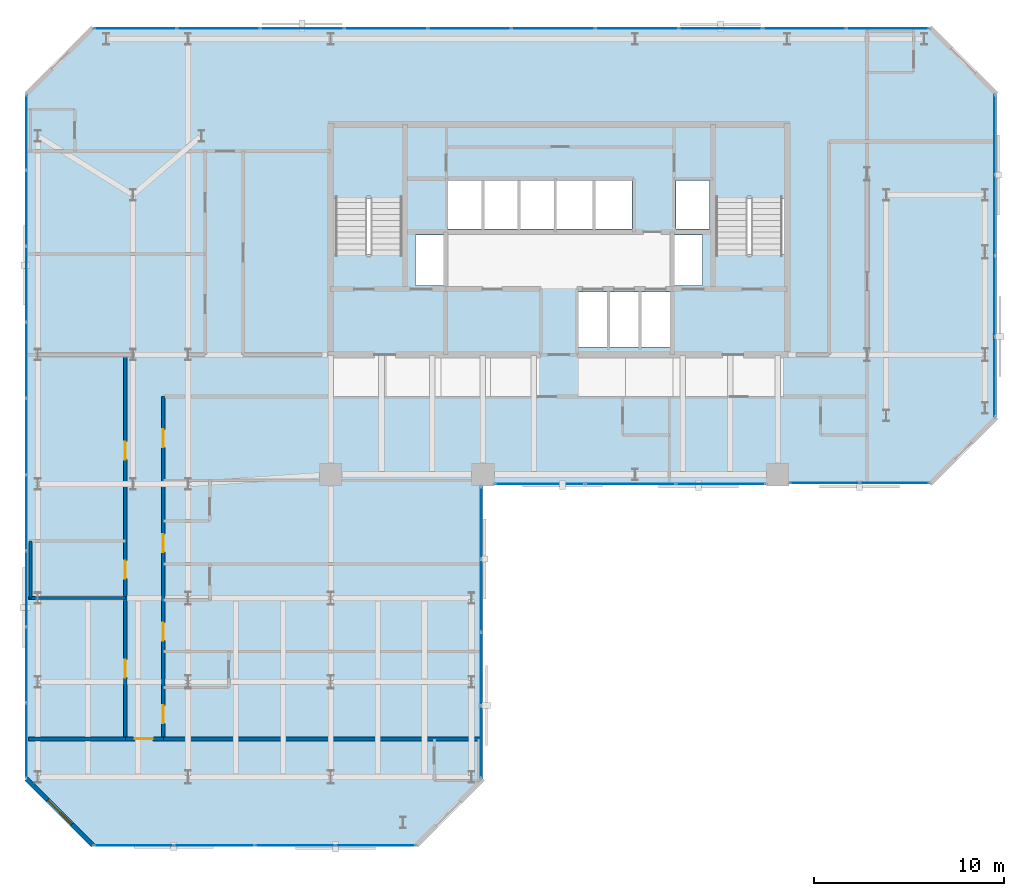
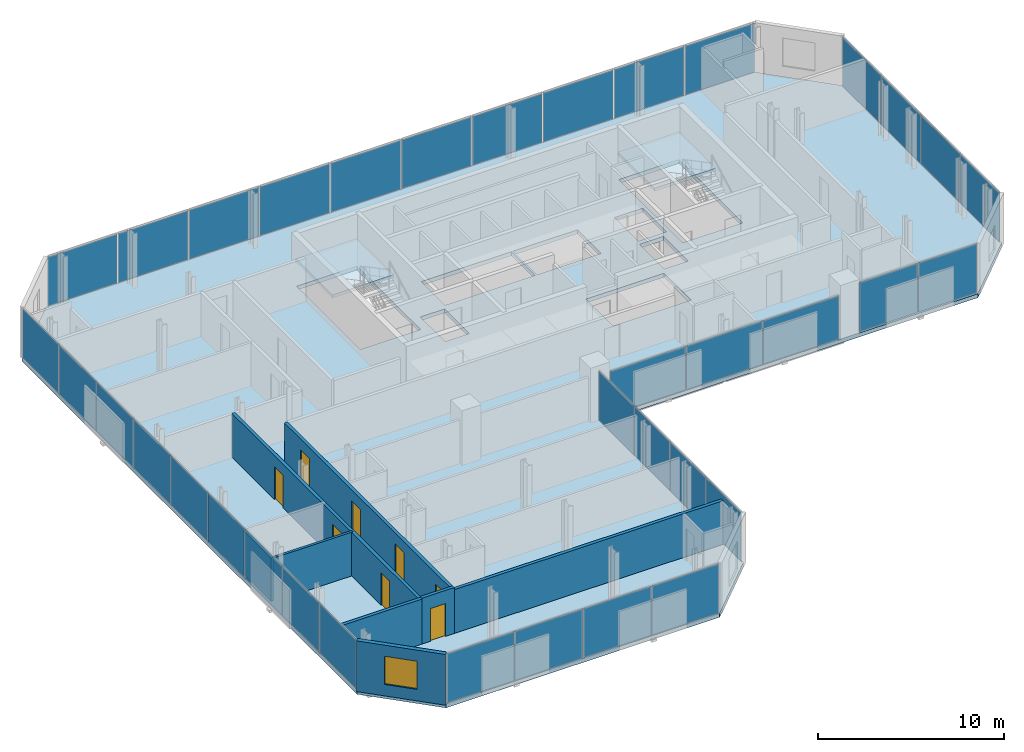
# One storey, part 27 of 32: 36 plates, 8 doors, 8 walls, 3 slabs, 1 window, 9 openings, 9 elements without a shape of their own.
"""IFC4 building model written with IfcOpenShell, lengths in metres."""

from ifc_helpers import new_model, si_unit, direction, frame, frame_2d, origin, origin_2d, place, context, subcontext, project, spatial, polyline, rectangle, outline, extrude, material, layer, layer_set, type_object, element, fill, aggregate, save


model = new_model("IFC4")

# Units and contexts
model_context = context("Model", 3, precision=1e-05, world=origin(), true_north=direction((0.0, 1.0)))
body_context = subcontext(model_context, "Body", "Model", "MODEL_VIEW")
ifc_project = project(units=[si_unit("LENGTHUNIT", "METRE"), si_unit("AREAUNIT", "SQUARE_METRE"), si_unit("VOLUMEUNIT", "CUBIC_METRE"), si_unit("PLANEANGLEUNIT", "RADIAN"), si_unit("MASSUNIT", "GRAM", prefix="KILO")], contexts=[model_context])

# Site, building, storey
site_placement = place(None, origin())
site = spatial("IfcSite", under=ifc_project, at=site_placement, CompositionType="ELEMENT")
building_placement = place(site_placement, origin())
building = spatial("IfcBuilding", under=site, at=building_placement, Name="Catumbela Crestline Tower", CompositionType="ELEMENT")
storey_placement = place(building_placement, frame((0.0, 0.0, 122.4)))
storey = spatial("IfcBuildingStorey", under=building, at=storey_placement, Name="L31", CompositionType="ELEMENT", Elevation=122.4)

# Curtain wall, plates
ifc_material_1 = material(Name="Aluminium alloy AW-6060-T66", Category="aluminium")
ifc_layer_1 = layer(ifc_material_1, 0.18, Name="Aluminium alloy AW-6060-T66")
ifc_layer_set_1 = layer_set([ifc_layer_1], Name="Aluminium alloy AW-6060-T66")
curtain_wall_type = type_object("IfcCurtainWallType", Name="CWU-Z2", PredefinedType="USERDEFINED", material=ifc_layer_set_1)
curtain_wall_1_placement = place(storey_placement, origin())
curtain_wall_1 = element("IfcCurtainWall", 1, at=curtain_wall_1_placement, inside=storey, type_object=curtain_wall_type, Name="L31 Unitised Curtain Wall CW-L31-E0S1", ObjectType="UNITISED", PredefinedType="USERDEFINED")
ifc_material_2 = material(Name="Low-E laminated solar-control double glazing", Category="glass")
ifc_layer_2 = layer(ifc_material_2, 0.036, Name="Low-E laminated solar-control double glazing")
ifc_layer_set_2 = layer_set([ifc_layer_2], Name="Low-E laminated solar-control double glazing")
plate_type = type_object("IfcPlateType", Name="PNL-GLZ-Z2", PredefinedType="CURTAIN_PANEL", material=ifc_layer_set_2)
plate_1_placement = place(storey_placement, frame((5.6412, 5.0, 0.06), z_axis=(0.0, 0.0, 1.0), x_axis=(1.0, 0.0, 0.0)))
plate_1 = element("IfcPlate", 2, at=plate_1_placement, type_object=plate_type, Name="CWU-Z2 panel 1.1", PredefinedType="CURTAIN_PANEL", context=body_context, shape_type="SweptSolid", body=[
    extrude(rectangle(XDim=4.1525, YDim=0.034, at=origin_2d()), origin(), (0.0, 0.0, 1.0), 3.21),
])
plate_2_placement = place(storey_placement, frame((9.875, 5.0, 0.06), z_axis=(0.0, 0.0, 1.0), x_axis=(1.0, 0.0, 0.0)))
plate_2 = element("IfcPlate", 3, at=plate_2_placement, type_object=plate_type, Name="CWU-Z2 panel 2.1", PredefinedType="CURTAIN_PANEL", context=body_context, shape_type="SweptSolid", body=[
    extrude(rectangle(XDim=4.185, YDim=0.034, at=origin_2d()), origin(), (0.0, 0.0, 1.0), 3.21),
])
plate_3_placement = place(storey_placement, frame((14.125, 5.0, 0.06), z_axis=(0.0, 0.0, 1.0), x_axis=(1.0, 0.0, 0.0)))
plate_3 = element("IfcPlate", 4, at=plate_3_placement, type_object=plate_type, Name="CWU-Z2 panel 3.1", PredefinedType="CURTAIN_PANEL", context=body_context, shape_type="SweptSolid", body=[
    extrude(rectangle(XDim=4.185, YDim=0.034, at=origin_2d()), origin(), (0.0, 0.0, 1.0), 3.21),
])
plate_4_placement = place(storey_placement, frame((18.3588, 5.0, 0.06), z_axis=(0.0, 0.0, 1.0), x_axis=(1.0, 0.0, 0.0)))
plate_4 = element("IfcPlate", 5, at=plate_4_placement, type_object=plate_type, Name="CWU-Z2 panel 4.1", PredefinedType="CURTAIN_PANEL", context=body_context, shape_type="SweptSolid", body=[
    extrude(rectangle(XDim=4.1525, YDim=0.034, at=origin_2d()), origin(), (0.0, 0.0, 1.0), 3.21),
])
aggregate(curtain_wall_1, [plate_1, plate_2, plate_3, plate_4])

curtain_wall_2_placement = place(storey_placement, origin())
curtain_wall_2 = element("IfcCurtainWall", 6, at=curtain_wall_2_placement, inside=storey, type_object=curtain_wall_type, Name="L31 Unitised Curtain Wall CW-L31-E2S1", ObjectType="UNITISED", PredefinedType="USERDEFINED")
plate_5_placement = place(storey_placement, frame((23.9, 10.4412, 0.06), z_axis=(0.0, 0.0, 1.0), x_axis=(0.0, 1.0, 0.0)))
plate_5 = element("IfcPlate", 7, at=plate_5_placement, type_object=plate_type, Name="CWU-Z2 panel 1.1", PredefinedType="CURTAIN_PANEL", context=body_context, shape_type="SweptSolid", body=[
    extrude(rectangle(XDim=3.7525, YDim=0.034, at=origin_2d()), origin(), (0.0, 0.0, 1.0), 3.21),
])
plate_6_placement = place(storey_placement, frame((23.9, 14.275, 0.06), z_axis=(0.0, 0.0, 1.0), x_axis=(0.0, 1.0, 0.0)))
plate_6 = element("IfcPlate", 8, at=plate_6_placement, type_object=plate_type, Name="CWU-Z2 panel 2.1", PredefinedType="CURTAIN_PANEL", context=body_context, shape_type="SweptSolid", body=[
    extrude(rectangle(XDim=3.785, YDim=0.034, at=origin_2d()), origin(), (0.0, 0.0, 1.0), 3.21),
])
plate_7_placement = place(storey_placement, frame((23.9, 18.125, 0.06), z_axis=(0.0, 0.0, 1.0), x_axis=(0.0, 1.0, 0.0)))
plate_7 = element("IfcPlate", 9, at=plate_7_placement, type_object=plate_type, Name="CWU-Z2 panel 3.1", PredefinedType="CURTAIN_PANEL", context=body_context, shape_type="SweptSolid", body=[
    extrude(rectangle(XDim=3.785, YDim=0.034, at=origin_2d()), origin(), (0.0, 0.0, 1.0), 3.21),
])
plate_8_placement = place(storey_placement, frame((23.9, 21.9587, 0.06), z_axis=(0.0, 0.0, 1.0), x_axis=(0.0, 1.0, 0.0)))
plate_8 = element("IfcPlate", 10, at=plate_8_placement, type_object=plate_type, Name="CWU-Z2 panel 4.1", PredefinedType="CURTAIN_PANEL", context=body_context, shape_type="SweptSolid", body=[
    extrude(rectangle(XDim=3.7525, YDim=0.034, at=origin_2d()), origin(), (0.0, 0.0, 1.0), 3.21),
])
aggregate(curtain_wall_2, [plate_5, plate_6, plate_7, plate_8])

curtain_wall_3_placement = place(storey_placement, origin())
curtain_wall_3 = element("IfcCurtainWall", 11, at=curtain_wall_3_placement, inside=storey, type_object=curtain_wall_type, Name="L31 Unitised Curtain Wall CW-L31-E3S1", ObjectType="UNITISED", PredefinedType="USERDEFINED")
plate_9_placement = place(storey_placement, frame((26.9996, 24.0, 0.06), z_axis=(0.0, 0.0, 1.0), x_axis=(1.0, 0.0, 0.0)))
plate_9 = element("IfcPlate", 12, at=plate_9_placement, type_object=plate_type, Name="CWU-Z2 panel 1.1", PredefinedType="CURTAIN_PANEL", context=body_context, shape_type="SweptSolid", body=[
    extrude(rectangle(XDim=4.6692, YDim=0.034, at=origin_2d()), origin(), (0.0, 0.0, 1.0), 2.84),
])
plate_10_placement = place(storey_placement, frame((31.75, 24.0, 0.06), z_axis=(0.0, 0.0, 1.0), x_axis=(1.0, 0.0, 0.0)))
plate_10 = element("IfcPlate", 13, at=plate_10_placement, type_object=plate_type, Name="CWU-Z2 panel 2.1", PredefinedType="CURTAIN_PANEL", context=body_context, shape_type="SweptSolid", body=[
    extrude(rectangle(XDim=4.7017, YDim=0.034, at=origin_2d()), origin(), (0.0, 0.0, 1.0), 2.84),
])
plate_11_placement = place(storey_placement, frame((36.5004, 24.0, 0.06), z_axis=(0.0, 0.0, 1.0), x_axis=(1.0, 0.0, 0.0)))
plate_11 = element("IfcPlate", 14, at=plate_11_placement, type_object=plate_type, Name="CWU-Z2 panel 3.1", PredefinedType="CURTAIN_PANEL", context=body_context, shape_type="SweptSolid", body=[
    extrude(rectangle(XDim=4.6692, YDim=0.034, at=origin_2d()), origin(), (0.0, 0.0, 1.0), 2.84),
])
aggregate(curtain_wall_3, [plate_9, plate_10, plate_11])

curtain_wall_4_placement = place(storey_placement, origin())
curtain_wall_4 = element("IfcCurtainWall", 15, at=curtain_wall_4_placement, inside=storey, type_object=curtain_wall_type, Name="L31 Unitised Curtain Wall CW-L31-E3S2", ObjectType="UNITISED", PredefinedType="USERDEFINED")
plate_12_placement = place(storey_placement, frame((41.9662, 24.05, 0.06), z_axis=(0.0, 0.0, 1.0), x_axis=(1.0, 0.0, 0.0)))
plate_12 = element("IfcPlate", 16, at=plate_12_placement, type_object=plate_type, Name="CWU-Z2 panel 1.1", PredefinedType="CURTAIN_PANEL", context=body_context, shape_type="SweptSolid", body=[
    extrude(rectangle(XDim=3.6025, YDim=0.034, at=origin_2d()), origin(), (0.0, 0.0, 1.0), 3.21),
])
plate_13_placement = place(storey_placement, frame((45.6338, 24.05, 0.06), z_axis=(0.0, 0.0, 1.0), x_axis=(1.0, 0.0, 0.0)))
plate_13 = element("IfcPlate", 17, at=plate_13_placement, type_object=plate_type, Name="CWU-Z2 panel 2.1", PredefinedType="CURTAIN_PANEL", context=body_context, shape_type="SweptSolid", body=[
    extrude(rectangle(XDim=3.6025, YDim=0.034, at=origin_2d()), origin(), (0.0, 0.0, 1.0), 3.21),
])
aggregate(curtain_wall_4, [plate_12, plate_13])

curtain_wall_5_placement = place(storey_placement, origin())
curtain_wall_5 = element("IfcCurtainWall", 18, at=curtain_wall_5_placement, inside=storey, type_object=curtain_wall_type, Name="L31 Unitised Curtain Wall CW-L31-E5S1", ObjectType="UNITISED", PredefinedType="USERDEFINED")
plate_14_placement = place(storey_placement, frame((50.9, 29.6412, 0.06), z_axis=(0.0, 0.0, 1.0), x_axis=(0.0, 1.0, 0.0)))
plate_14 = element("IfcPlate", 19, at=plate_14_placement, type_object=plate_type, Name="CWU-Z2 panel 1.1", PredefinedType="CURTAIN_PANEL", context=body_context, shape_type="SweptSolid", body=[
    extrude(rectangle(XDim=4.1525, YDim=0.034, at=origin_2d()), origin(), (0.0, 0.0, 1.0), 3.21),
])
plate_15_placement = place(storey_placement, frame((50.9, 33.875, 0.06), z_axis=(0.0, 0.0, 1.0), x_axis=(0.0, 1.0, 0.0)))
plate_15 = element("IfcPlate", 20, at=plate_15_placement, type_object=plate_type, Name="CWU-Z2 panel 2.1", PredefinedType="CURTAIN_PANEL", context=body_context, shape_type="SweptSolid", body=[
    extrude(rectangle(XDim=4.185, YDim=0.034, at=origin_2d()), origin(), (0.0, 0.0, 1.0), 3.21),
])
plate_16_placement = place(storey_placement, frame((50.9, 38.125, 0.06), z_axis=(0.0, 0.0, 1.0), x_axis=(0.0, 1.0, 0.0)))
plate_16 = element("IfcPlate", 21, at=plate_16_placement, type_object=plate_type, Name="CWU-Z2 panel 3.1", PredefinedType="CURTAIN_PANEL", context=body_context, shape_type="SweptSolid", body=[
    extrude(rectangle(XDim=4.185, YDim=0.034, at=origin_2d()), origin(), (0.0, 0.0, 1.0), 3.21),
])
plate_17_placement = place(storey_placement, frame((50.9, 42.3588, 0.06), z_axis=(0.0, 0.0, 1.0), x_axis=(0.0, 1.0, 0.0)))
plate_17 = element("IfcPlate", 22, at=plate_17_placement, type_object=plate_type, Name="CWU-Z2 panel 4.1", PredefinedType="CURTAIN_PANEL", context=body_context, shape_type="SweptSolid", body=[
    extrude(rectangle(XDim=4.1525, YDim=0.034, at=origin_2d()), origin(), (0.0, 0.0, 1.0), 3.21),
])
aggregate(curtain_wall_5, [plate_14, plate_15, plate_16, plate_17])

curtain_wall_6_placement = place(storey_placement, origin())
curtain_wall_6 = element("IfcCurtainWall", 23, at=curtain_wall_6_placement, inside=storey, type_object=curtain_wall_type, Name="L31 Unitised Curtain Wall CW-L31-E7S1", ObjectType="UNITISED", PredefinedType="USERDEFINED")
plate_18_placement = place(storey_placement, frame((45.2838, 47.95, 0.06), z_axis=(0.0, 0.0, 1.0), x_axis=(-1.0, 0.0, 0.0)))
plate_18 = element("IfcPlate", 24, at=plate_18_placement, type_object=plate_type, Name="CWU-Z2 panel 1.1", PredefinedType="CURTAIN_PANEL", context=body_context, shape_type="SweptSolid", body=[
    extrude(rectangle(XDim=4.3025, YDim=0.034, at=origin_2d()), origin(), (0.0, 0.0, 1.0), 3.21),
])
plate_19_placement = place(storey_placement, frame((40.9, 47.95, 0.06), z_axis=(0.0, 0.0, 1.0), x_axis=(-1.0, 0.0, 0.0)))
plate_19 = element("IfcPlate", 25, at=plate_19_placement, type_object=plate_type, Name="CWU-Z2 panel 2.1", PredefinedType="CURTAIN_PANEL", context=body_context, shape_type="SweptSolid", body=[
    extrude(rectangle(XDim=4.335, YDim=0.034, at=origin_2d()), origin(), (0.0, 0.0, 1.0), 3.21),
])
plate_20_placement = place(storey_placement, frame((36.5, 47.95, 0.06), z_axis=(0.0, 0.0, 1.0), x_axis=(-1.0, 0.0, 0.0)))
plate_20 = element("IfcPlate", 26, at=plate_20_placement, type_object=plate_type, Name="CWU-Z2 panel 3.1", PredefinedType="CURTAIN_PANEL", context=body_context, shape_type="SweptSolid", body=[
    extrude(rectangle(XDim=4.335, YDim=0.034, at=origin_2d()), origin(), (0.0, 0.0, 1.0), 3.21),
])
plate_21_placement = place(storey_placement, frame((32.1, 47.95, 0.06), z_axis=(0.0, 0.0, 1.0), x_axis=(-1.0, 0.0, 0.0)))
plate_21 = element("IfcPlate", 27, at=plate_21_placement, type_object=plate_type, Name="CWU-Z2 panel 4.1", PredefinedType="CURTAIN_PANEL", context=body_context, shape_type="SweptSolid", body=[
    extrude(rectangle(XDim=4.335, YDim=0.034, at=origin_2d()), origin(), (0.0, 0.0, 1.0), 3.21),
])
plate_22_placement = place(storey_placement, frame((27.7, 47.95, 0.06), z_axis=(0.0, 0.0, 1.0), x_axis=(-1.0, 0.0, 0.0)))
plate_22 = element("IfcPlate", 28, at=plate_22_placement, type_object=plate_type, Name="CWU-Z2 panel 5.1", PredefinedType="CURTAIN_PANEL", context=body_context, shape_type="SweptSolid", body=[
    extrude(rectangle(XDim=4.335, YDim=0.034, at=origin_2d()), origin(), (0.0, 0.0, 1.0), 3.21),
])
plate_23_placement = place(storey_placement, frame((23.3, 47.95, 0.06), z_axis=(0.0, 0.0, 1.0), x_axis=(-1.0, 0.0, 0.0)))
plate_23 = element("IfcPlate", 29, at=plate_23_placement, type_object=plate_type, Name="CWU-Z2 panel 6.1", PredefinedType="CURTAIN_PANEL", context=body_context, shape_type="SweptSolid", body=[
    extrude(rectangle(XDim=4.335, YDim=0.034, at=origin_2d()), origin(), (0.0, 0.0, 1.0), 3.21),
])
plate_24_placement = place(storey_placement, frame((18.9, 47.95, 0.06), z_axis=(0.0, 0.0, 1.0), x_axis=(-1.0, 0.0, 0.0)))
plate_24 = element("IfcPlate", 30, at=plate_24_placement, type_object=plate_type, Name="CWU-Z2 panel 7.1", PredefinedType="CURTAIN_PANEL", context=body_context, shape_type="SweptSolid", body=[
    extrude(rectangle(XDim=4.335, YDim=0.034, at=origin_2d()), origin(), (0.0, 0.0, 1.0), 3.21),
])
plate_25_placement = place(storey_placement, frame((14.5, 47.95, 0.06), z_axis=(0.0, 0.0, 1.0), x_axis=(-1.0, 0.0, 0.0)))
plate_25 = element("IfcPlate", 31, at=plate_25_placement, type_object=plate_type, Name="CWU-Z2 panel 8.1", PredefinedType="CURTAIN_PANEL", context=body_context, shape_type="SweptSolid", body=[
    extrude(rectangle(XDim=4.335, YDim=0.034, at=origin_2d()), origin(), (0.0, 0.0, 1.0), 3.21),
])
plate_26_placement = place(storey_placement, frame((10.1, 47.95, 0.06), z_axis=(0.0, 0.0, 1.0), x_axis=(-1.0, 0.0, 0.0)))
plate_26 = element("IfcPlate", 32, at=plate_26_placement, type_object=plate_type, Name="CWU-Z2 panel 9.1", PredefinedType="CURTAIN_PANEL", context=body_context, shape_type="SweptSolid", body=[
    extrude(rectangle(XDim=4.335, YDim=0.034, at=origin_2d()), origin(), (0.0, 0.0, 1.0), 3.21),
])
plate_27_placement = place(storey_placement, frame((5.7162, 47.95, 0.06), z_axis=(0.0, 0.0, 1.0), x_axis=(-1.0, 0.0, 0.0)))
plate_27 = element("IfcPlate", 33, at=plate_27_placement, type_object=plate_type, Name="CWU-Z2 panel 10.1", PredefinedType="CURTAIN_PANEL", context=body_context, shape_type="SweptSolid", body=[
    extrude(rectangle(XDim=4.3025, YDim=0.034, at=origin_2d()), origin(), (0.0, 0.0, 1.0), 3.21),
])
aggregate(curtain_wall_6, [plate_18, plate_19, plate_20, plate_21, plate_22, plate_23, plate_24, plate_25, plate_26, plate_27])

curtain_wall_7_placement = place(storey_placement, origin())
curtain_wall_7 = element("IfcCurtainWall", 34, at=curtain_wall_7_placement, inside=storey, type_object=curtain_wall_type, Name="L31 Unitised Curtain Wall CW-L31-E9S1", ObjectType="UNITISED", PredefinedType="USERDEFINED")
plate_28_placement = place(storey_placement, frame((0.0, 42.4838, 0.06), z_axis=(0.0, 0.0, 1.0), x_axis=(0.0, -1.0, 0.0)))
plate_28 = element("IfcPlate", 35, at=plate_28_placement, type_object=plate_type, Name="CWU-Z2 panel 1.1", PredefinedType="CURTAIN_PANEL", context=body_context, shape_type="SweptSolid", body=[
    extrude(rectangle(XDim=3.9025, YDim=0.034, at=origin_2d()), origin(), (0.0, 0.0, 1.0), 3.21),
])
plate_29_placement = place(storey_placement, frame((0.0, 38.5, 0.06), z_axis=(0.0, 0.0, 1.0), x_axis=(0.0, -1.0, 0.0)))
plate_29 = element("IfcPlate", 36, at=plate_29_placement, type_object=plate_type, Name="CWU-Z2 panel 2.1", PredefinedType="CURTAIN_PANEL", context=body_context, shape_type="SweptSolid", body=[
    extrude(rectangle(XDim=3.935, YDim=0.034, at=origin_2d()), origin(), (0.0, 0.0, 1.0), 3.21),
])
plate_30_placement = place(storey_placement, frame((0.0, 34.5, 0.06), z_axis=(0.0, 0.0, 1.0), x_axis=(0.0, -1.0, 0.0)))
plate_30 = element("IfcPlate", 37, at=plate_30_placement, type_object=plate_type, Name="CWU-Z2 panel 3.1", PredefinedType="CURTAIN_PANEL", context=body_context, shape_type="SweptSolid", body=[
    extrude(rectangle(XDim=3.935, YDim=0.034, at=origin_2d()), origin(), (0.0, 0.0, 1.0), 3.21),
])
plate_31_placement = place(storey_placement, frame((0.0, 30.5, 0.06), z_axis=(0.0, 0.0, 1.0), x_axis=(0.0, -1.0, 0.0)))
plate_31 = element("IfcPlate", 38, at=plate_31_placement, type_object=plate_type, Name="CWU-Z2 panel 4.1", PredefinedType="CURTAIN_PANEL", context=body_context, shape_type="SweptSolid", body=[
    extrude(rectangle(XDim=3.935, YDim=0.034, at=origin_2d()), origin(), (0.0, 0.0, 1.0), 3.21),
])
plate_32_placement = place(storey_placement, frame((0.0, 26.5, 0.06), z_axis=(0.0, 0.0, 1.0), x_axis=(0.0, -1.0, 0.0)))
plate_32 = element("IfcPlate", 39, at=plate_32_placement, type_object=plate_type, Name="CWU-Z2 panel 5.1", PredefinedType="CURTAIN_PANEL", context=body_context, shape_type="SweptSolid", body=[
    extrude(rectangle(XDim=3.935, YDim=0.034, at=origin_2d()), origin(), (0.0, 0.0, 1.0), 3.21),
])
plate_33_placement = place(storey_placement, frame((0.0, 22.5, 0.06), z_axis=(0.0, 0.0, 1.0), x_axis=(0.0, -1.0, 0.0)))
plate_33 = element("IfcPlate", 40, at=plate_33_placement, type_object=plate_type, Name="CWU-Z2 panel 6.1", PredefinedType="CURTAIN_PANEL", context=body_context, shape_type="SweptSolid", body=[
    extrude(rectangle(XDim=3.935, YDim=0.034, at=origin_2d()), origin(), (0.0, 0.0, 1.0), 3.21),
])
plate_34_placement = place(storey_placement, frame((0.0, 18.5, 0.06), z_axis=(0.0, 0.0, 1.0), x_axis=(0.0, -1.0, 0.0)))
plate_34 = element("IfcPlate", 41, at=plate_34_placement, type_object=plate_type, Name="CWU-Z2 panel 7.1", PredefinedType="CURTAIN_PANEL", context=body_context, shape_type="SweptSolid", body=[
    extrude(rectangle(XDim=3.935, YDim=0.034, at=origin_2d()), origin(), (0.0, 0.0, 1.0), 3.21),
])
plate_35_placement = place(storey_placement, frame((0.0, 14.5, 0.06), z_axis=(0.0, 0.0, 1.0), x_axis=(0.0, -1.0, 0.0)))
plate_35 = element("IfcPlate", 42, at=plate_35_placement, type_object=plate_type, Name="CWU-Z2 panel 8.1", PredefinedType="CURTAIN_PANEL", context=body_context, shape_type="SweptSolid", body=[
    extrude(rectangle(XDim=3.935, YDim=0.034, at=origin_2d()), origin(), (0.0, 0.0, 1.0), 3.21),
])
plate_36_placement = place(storey_placement, frame((0.0, 10.5162, 0.06), z_axis=(0.0, 0.0, 1.0), x_axis=(0.0, -1.0, 0.0)))
plate_36 = element("IfcPlate", 43, at=plate_36_placement, type_object=plate_type, Name="CWU-Z2 panel 9.1", PredefinedType="CURTAIN_PANEL", context=body_context, shape_type="SweptSolid", body=[
    extrude(rectangle(XDim=3.9025, YDim=0.034, at=origin_2d()), origin(), (0.0, 0.0, 1.0), 3.21),
])
aggregate(curtain_wall_7, [plate_28, plate_29, plate_30, plate_31, plate_32, plate_33, plate_34, plate_35, plate_36])

# Stair, slab
ifc_material_3 = material(Name="Concrete C45/55", Category="concrete")
stair_type = type_object("IfcStairType", Name="ST-DLG", PredefinedType="HALF_TURN_STAIR", material=ifc_material_3)
stair_1_placement = place(storey_placement, origin())
stair_1 = element("IfcStair", 44, at=stair_1_placement, inside=storey, type_object=stair_type, Name="L31 West Core Pressurised Exit Stair ST-01", PredefinedType="HALF_TURN_STAIR")
ifc_layer_3 = layer(ifc_material_3, 0.2, Name="Concrete C45/55")
ifc_layer_set_3 = layer_set([ifc_layer_3], Name="Concrete C45/55")
slab_type_1 = type_object("IfcSlabType", Name="SL-LND", PredefinedType="LANDING", material=ifc_layer_set_3)
slab_1_placement = place(storey_placement, frame((0.0, 0.0, 1.6)))
slab_1 = element("IfcSlab", 45, at=slab_1_placement, type_object=slab_type_1, Name="ST-01 landing 1", PredefinedType="LANDING", context=body_context, shape_type="SweptSolid", body=[
    extrude(outline(polyline([(19.91, 39.02), (19.91, 42.96), (16.09, 42.96), (16.09, 39.02), (19.91, 39.02)])), origin(), (0.0, 0.0, 1.0), 0.2),
])
aggregate(stair_1, [slab_1])

stair_2_placement = place(storey_placement, origin())
stair_2 = element("IfcStair", 46, at=stair_2_placement, inside=storey, type_object=stair_type, Name="L31 East Core Pressurised Exit Stair ST-02", PredefinedType="HALF_TURN_STAIR")
slab_2_placement = place(storey_placement, frame((0.0, 0.0, 1.6)))
slab_2 = element("IfcSlab", 47, at=slab_2_placement, type_object=slab_type_1, Name="ST-02 landing 1", PredefinedType="LANDING", context=body_context, shape_type="SweptSolid", body=[
    extrude(outline(polyline([(39.91, 39.02), (39.91, 42.96), (36.09, 42.96), (36.09, 39.02), (39.91, 39.02)])), origin(), (0.0, 0.0, 1.0), 0.2),
])
aggregate(stair_2, [slab_2])

# Slab
ifc_layer_4 = layer(ifc_material_3, 0.26, Name="Concrete C45/55")
ifc_layer_set_4 = layer_set([ifc_layer_4], Name="Concrete C45/55")
slab_type_2 = type_object("IfcSlabType", Name="SL-260", PredefinedType="FLOOR", material=ifc_layer_set_4)
slab_3_placement = place(storey_placement, frame((0.0, 0.0, -0.26)))
element("IfcSlab", 48, at=slab_3_placement, inside=storey, type_object=slab_type_2, Name="L31 Structural Floor Slab", PredefinedType="FLOOR", context=body_context, shape_type="SweptSolid", body=[
    extrude(outline(polyline([(3.5, 5.0), (20.5, 5.0), (24.0, 8.5), (24.0, 24.0), (47.5, 24.0), (51.0, 27.5), (51.0, 44.5), (47.5, 48.0), (3.5, 48.0), (0.0, 44.5), (0.0, 8.5), (3.5, 5.0)]), holes=[polyline([(16.13, 36.08), (19.87, 36.08), (19.87, 42.92), (16.13, 42.92), (16.13, 36.08)]), polyline([(36.13, 36.08), (39.87, 36.08), (39.87, 42.92), (36.13, 42.92), (36.13, 36.08)]), polyline([(29.0, 31.2), (33.85, 31.2), (33.85, 34.1), (29.0, 34.1), (29.0, 31.2)]), polyline([(22.15, 37.4), (27.75, 37.4), (27.75, 39.95), (22.15, 39.95), (22.15, 37.4)]), polyline([(27.85, 37.4), (31.85, 37.4), (31.85, 39.95), (27.85, 39.95), (27.85, 37.4)]), polyline([(20.45, 34.45), (21.95, 34.45), (21.95, 37.1), (20.45, 37.1), (20.45, 34.45)]), polyline([(34.05, 34.45), (35.55, 34.45), (35.55, 37.1), (34.05, 37.1), (34.05, 34.45)]), polyline([(34.15, 37.4), (35.9, 37.4), (35.9, 39.95), (34.15, 39.95), (34.15, 37.4)])]), origin(), (0.0, 0.0, 1.0), 0.26),
])

# Wall, openings, doors
ifc_material_4 = material(Name="Acoustic gypsum and mineral-wool partition")
ifc_layer_5 = layer(ifc_material_4, 0.2, Name="Acoustic gypsum and mineral-wool partition")
ifc_layer_set_5 = layer_set([ifc_layer_5], Name="Acoustic gypsum and mineral-wool partition")
wall_type_1 = type_object("IfcWallType", Name="WC-200", PredefinedType="PARTITIONING", material=ifc_layer_set_5)
wall_1_placement = place(storey_placement, frame((5.2, 10.6, 0.0), z_axis=(0.0, 0.0, 1.0), x_axis=(0.0, 1.0, 0.0)))
wall_1 = element("IfcWall", 49, at=wall_1_placement, inside=storey, type_object=wall_type_1, Name="L31 Interior Partition PW-L31-STWC-ENT", PredefinedType="PARTITIONING", context=body_context, shape_type="SweptSolid", body=[
    extrude(rectangle(XDim=20.2, YDim=0.2, at=frame_2d((10.1, 0.0))), origin(), (0.0, 0.0, 1.0), 2.87),
])
opening_1_placement = place(wall_1_placement, frame((8.425, 0.0, 0.0)))
opening_1 = element("IfcOpeningElement", 50, at=opening_1_placement, cuts=wall_1, Name="Opening DF6-095", PredefinedType="OPENING", context=body_context, shape_type="SweptSolid", body=[
    extrude(rectangle(XDim=0.95, YDim=2.15, at=frame_2d((0.475, 1.075))), frame((0.0, 0.11, 0.0), z_axis=(0.0, -1.0, 0.0), x_axis=(1.0, 0.0, 0.0)), (0.0, 0.0, 1.0), 0.22),
])
opening_2_placement = place(wall_1_placement, frame((14.6795, 0.0, 0.0)))
opening_2 = element("IfcOpeningElement", 51, at=opening_2_placement, cuts=wall_1, Name="Opening DF6-095", PredefinedType="OPENING", context=body_context, shape_type="SweptSolid", body=[
    extrude(rectangle(XDim=0.95, YDim=2.15, at=frame_2d((0.475, 1.075))), frame((0.0, 0.11, 0.0), z_axis=(0.0, -1.0, 0.0), x_axis=(1.0, 0.0, 0.0)), (0.0, 0.0, 1.0), 0.22),
])
opening_3_placement = place(wall_1_placement, frame((3.225, 0.0, 0.0)))
opening_3 = element("IfcOpeningElement", 52, at=opening_3_placement, cuts=wall_1, Name="Opening DF6-095", PredefinedType="OPENING", context=body_context, shape_type="SweptSolid", body=[
    extrude(rectangle(XDim=0.95, YDim=2.15, at=frame_2d((0.475, 1.075))), frame((0.0, 0.11, 0.0), z_axis=(0.0, -1.0, 0.0), x_axis=(1.0, 0.0, 0.0)), (0.0, 0.0, 1.0), 0.22),
])
door_type = type_object("IfcDoorType", Name="DF6-095", OperationType="NOTDEFINED", PredefinedType="DOOR", material=ifc_material_1)
door_1_placement = place(opening_1_placement, origin())
door_1 = element("IfcDoor", 53, at=door_1_placement, inside=storey, type_object=door_type, Name="L31 Interior Door DR-L31-STWC-ENT", OperationType="SINGLE_SWING_RIGHT", OverallHeight=2.15, OverallWidth=0.95, PredefinedType="DOOR", context=body_context, shape_type="SweptSolid", body=[
    extrude(rectangle(XDim=0.95, YDim=2.15, at=frame_2d((0.475, 1.075))), frame((0.0, 0.025, 0.0), z_axis=(0.0, -1.0, 0.0), x_axis=(1.0, 0.0, 0.0)), (0.0, 0.0, 1.0), 0.05),
])
fill(opening_1, door_1)
door_2_placement = place(opening_2_placement, origin())
door_2 = element("IfcDoor", 54, at=door_2_placement, inside=storey, type_object=door_type, Name="L31 Interior Door DR-L31-HKP-ENT", OperationType="SINGLE_SWING_RIGHT", OverallHeight=2.15, OverallWidth=0.95, PredefinedType="DOOR", context=body_context, shape_type="SweptSolid", body=[
    extrude(rectangle(XDim=0.95, YDim=2.15, at=frame_2d((0.475, 1.075))), frame((0.0, 0.025, 0.0), z_axis=(0.0, -1.0, 0.0), x_axis=(1.0, 0.0, 0.0)), (0.0, 0.0, 1.0), 0.05),
])
fill(opening_2, door_2)
door_3_placement = place(opening_3_placement, origin())
door_3 = element("IfcDoor", 55, at=door_3_placement, inside=storey, type_object=door_type, Name="L31 Interior Door DR-L31-WEXT-ENT", OperationType="SINGLE_SWING_LEFT", OverallHeight=2.15, OverallWidth=0.95, PredefinedType="DOOR", context=body_context, shape_type="SweptSolid", body=[
    extrude(rectangle(XDim=0.95, YDim=2.15, at=frame_2d((0.475, 1.075))), frame((0.0, 0.025, 0.0), z_axis=(0.0, -1.0, 0.0), x_axis=(1.0, 0.0, 0.0)), (0.0, 0.0, 1.0), 0.05),
])
fill(opening_3, door_3)

# Wall, opening, door
wall_2_placement = place(storey_placement, frame((5.2, 10.6, 0.0), z_axis=(0.0, 0.0, 1.0), x_axis=(1.0, 0.0, 0.0)))
wall_2 = element("IfcWall", 56, at=wall_2_placement, inside=storey, type_object=wall_type_1, Name="L31 Interior Partition PW-L31-STIP-ENT", PredefinedType="PARTITIONING", context=body_context, shape_type="SweptSolid", body=[
    extrude(rectangle(XDim=2.0, YDim=0.2, at=frame_2d((1.0, 0.0))), origin(), (0.0, 0.0, 1.0), 3.01),
])
opening_4_placement = place(wall_2_placement, frame((0.5025, 0.0, 0.0)))
opening_4 = element("IfcOpeningElement", 57, at=opening_4_placement, cuts=wall_2, Name="Opening DF6-095", PredefinedType="OPENING", context=body_context, shape_type="SweptSolid", body=[
    extrude(rectangle(XDim=0.95, YDim=2.15, at=frame_2d((0.475, 1.075))), frame((0.0, 0.11, 0.0), z_axis=(0.0, -1.0, 0.0), x_axis=(1.0, 0.0, 0.0)), (0.0, 0.0, 1.0), 0.22),
])
door_4_placement = place(opening_4_placement, origin())
door_4 = element("IfcDoor", 58, at=door_4_placement, inside=storey, type_object=door_type, Name="L31 Interior Door DR-L31-STIP-ENT", OperationType="SINGLE_SWING_LEFT", OverallHeight=2.15, OverallWidth=0.95, PredefinedType="DOOR", context=body_context, shape_type="SweptSolid", body=[
    extrude(rectangle(XDim=0.95, YDim=2.15, at=frame_2d((0.475, 1.075))), frame((0.0, 0.025, 0.0), z_axis=(0.0, -1.0, 0.0), x_axis=(1.0, 0.0, 0.0)), (0.0, 0.0, 1.0), 0.05),
])
fill(opening_4, door_4)

# Wall, openings, doors
wall_3_placement = place(storey_placement, frame((7.2, 10.6, 0.0), z_axis=(0.0, 0.0, 1.0), x_axis=(0.0, 1.0, 0.0)))
wall_3 = element("IfcWall", 59, at=wall_3_placement, inside=storey, type_object=wall_type_1, Name="L31 Interior Partition PW-L31-SW1-ENT", PredefinedType="PARTITIONING", context=body_context, shape_type="SweptSolid", body=[
    extrude(rectangle(XDim=18.0, YDim=0.2, at=frame_2d((9.0, 0.0))), origin(), (0.0, 0.0, 1.0), 2.87),
])
opening_5_placement = place(wall_3_placement, frame((0.8175, 0.0, 0.0)))
opening_5 = element("IfcOpeningElement", 60, at=opening_5_placement, cuts=wall_3, Name="Opening DF6-095", PredefinedType="OPENING", context=body_context, shape_type="SweptSolid", body=[
    extrude(rectangle(XDim=0.95, YDim=2.15, at=frame_2d((0.475, 1.075))), frame((0.0, 0.11, 0.0), z_axis=(0.0, -1.0, 0.0), x_axis=(1.0, 0.0, 0.0)), (0.0, 0.0, 1.0), 0.22),
])
opening_6_placement = place(wall_3_placement, frame((5.1686, 0.0, 0.0)))
opening_6 = element("IfcOpeningElement", 61, at=opening_6_placement, cuts=wall_3, Name="Opening DF6-095", PredefinedType="OPENING", context=body_context, shape_type="SweptSolid", body=[
    extrude(rectangle(XDim=0.95, YDim=2.15, at=frame_2d((0.475, 1.075))), frame((0.0, 0.11, 0.0), z_axis=(0.0, -1.0, 0.0), x_axis=(1.0, 0.0, 0.0)), (0.0, 0.0, 1.0), 0.22),
])
opening_7_placement = place(wall_3_placement, frame((9.815, 0.0, 0.0)))
opening_7 = element("IfcOpeningElement", 62, at=opening_7_placement, cuts=wall_3, Name="Opening DF6-095", PredefinedType="OPENING", context=body_context, shape_type="SweptSolid", body=[
    extrude(rectangle(XDim=0.95, YDim=2.15, at=frame_2d((0.475, 1.075))), frame((0.0, 0.11, 0.0), z_axis=(0.0, -1.0, 0.0), x_axis=(1.0, 0.0, 0.0)), (0.0, 0.0, 1.0), 0.22),
])
opening_8_placement = place(wall_3_placement, frame((15.325, 0.0, 0.0)))
opening_8 = element("IfcOpeningElement", 63, at=opening_8_placement, cuts=wall_3, Name="Opening DF6-095", PredefinedType="OPENING", context=body_context, shape_type="SweptSolid", body=[
    extrude(rectangle(XDim=0.95, YDim=2.15, at=frame_2d((0.475, 1.075))), frame((0.0, 0.11, 0.0), z_axis=(0.0, -1.0, 0.0), x_axis=(1.0, 0.0, 0.0)), (0.0, 0.0, 1.0), 0.22),
])
door_5_placement = place(opening_5_placement, origin())
door_5 = element("IfcDoor", 64, at=door_5_placement, inside=storey, type_object=door_type, Name="L31 Interior Door DR-L31-SW1-ENT", OperationType="SINGLE_SWING_RIGHT", OverallHeight=2.15, OverallWidth=0.95, PredefinedType="DOOR", context=body_context, shape_type="SweptSolid", body=[
    extrude(rectangle(XDim=0.95, YDim=2.15, at=frame_2d((0.475, 1.075))), frame((0.0, 0.025, 0.0), z_axis=(0.0, -1.0, 0.0), x_axis=(1.0, 0.0, 0.0)), (0.0, 0.0, 1.0), 0.05),
])
fill(opening_5, door_5)
door_6_placement = place(opening_6_placement, origin())
door_6 = element("IfcDoor", 65, at=door_6_placement, inside=storey, type_object=door_type, Name="L31 Interior Door DR-L31-SW2-ENT", OperationType="SINGLE_SWING_LEFT", OverallHeight=2.15, OverallWidth=0.95, PredefinedType="DOOR", context=body_context, shape_type="SweptSolid", body=[
    extrude(rectangle(XDim=0.95, YDim=2.15, at=frame_2d((0.475, 1.075))), frame((0.0, 0.025, 0.0), z_axis=(0.0, -1.0, 0.0), x_axis=(1.0, 0.0, 0.0)), (0.0, 0.0, 1.0), 0.05),
])
fill(opening_6, door_6)
door_7_placement = place(opening_7_placement, origin())
door_7 = element("IfcDoor", 66, at=door_7_placement, inside=storey, type_object=door_type, Name="L31 Interior Door DR-L31-SW3-ENT", OperationType="SINGLE_SWING_RIGHT", OverallHeight=2.15, OverallWidth=0.95, PredefinedType="DOOR", context=body_context, shape_type="SweptSolid", body=[
    extrude(rectangle(XDim=0.95, YDim=2.15, at=frame_2d((0.475, 1.075))), frame((0.0, 0.025, 0.0), z_axis=(0.0, -1.0, 0.0), x_axis=(1.0, 0.0, 0.0)), (0.0, 0.0, 1.0), 0.05),
])
fill(opening_7, door_7)
door_8_placement = place(opening_8_placement, origin())
door_8 = element("IfcDoor", 67, at=door_8_placement, inside=storey, type_object=door_type, Name="L31 Interior Door DR-L31-SW4-ENT", OperationType="SINGLE_SWING_LEFT", OverallHeight=2.15, OverallWidth=0.95, PredefinedType="DOOR", context=body_context, shape_type="SweptSolid", body=[
    extrude(rectangle(XDim=0.95, YDim=2.15, at=frame_2d((0.475, 1.075))), frame((0.0, 0.025, 0.0), z_axis=(0.0, -1.0, 0.0), x_axis=(1.0, 0.0, 0.0)), (0.0, 0.0, 1.0), 0.05),
])
fill(opening_8, door_8)

# Wall, opening, window
ifc_material_5 = material(Name="Angolan grey-ochre granite", Category="masonry")
ifc_layer_6 = layer(ifc_material_5, 0.25, Name="Angolan grey-ochre granite")
ifc_layer_set_6 = layer_set([ifc_layer_6], Name="Angolan grey-ochre granite")
wall_type_2 = type_object("IfcWallType", Name="WE-250", PredefinedType="STANDARD", material=ifc_layer_set_6)
wall_4_placement = place(storey_placement, frame((0.0, 8.5, 0.0), z_axis=(0.0, 0.0, 1.0), x_axis=(0.707106781187, -0.707106781187, 0.0)))
wall_4 = element("IfcWall", 68, at=wall_4_placement, inside=storey, type_object=wall_type_2, Name="L31 Granite Punched Window Wall 10-1", PredefinedType="STANDARD", context=body_context, shape_type="SweptSolid", body=[
    extrude(rectangle(XDim=4.9497, YDim=0.25, at=frame_2d((2.4748, 0.0))), origin(), (0.0, 0.0, 1.0), 3.33),
])
opening_9_placement = place(wall_4_placement, frame((1.5749, 0.0, 0.75)))
opening_9 = element("IfcOpeningElement", 69, at=opening_9_placement, cuts=wall_4, Name="Opening WN-01", PredefinedType="OPENING", context=body_context, shape_type="SweptSolid", body=[
    extrude(rectangle(XDim=1.8, YDim=1.85, at=frame_2d((0.9, 0.925))), frame((0.0, 0.135, 0.0), z_axis=(0.0, -1.0, 0.0), x_axis=(1.0, 0.0, 0.0)), (0.0, 0.0, 1.0), 0.27),
])
window_type = type_object("IfcWindowType", Name="WF-1800", PartitioningType="SINGLE_PANEL", PredefinedType="WINDOW", material=ifc_material_2)
window_placement = place(opening_9_placement, origin())
window = element("IfcWindow", 70, at=window_placement, inside=storey, type_object=window_type, Name="L31 Facade Vision Window 179", OverallHeight=1.85, OverallWidth=1.8, PartitioningType="SINGLE_PANEL", PredefinedType="WINDOW", context=body_context, shape_type="SweptSolid", body=[
    extrude(rectangle(XDim=1.8, YDim=1.85, at=frame_2d((0.9, 0.925))), frame((0.0, 0.03, 0.0), z_axis=(0.0, -1.0, 0.0), x_axis=(1.0, 0.0, 0.0)), (0.0, 0.0, 1.0), 0.06),
])
fill(opening_9, window)

# Walls
ifc_layer_7 = layer(ifc_material_4, 0.15, Name="Acoustic gypsum and mineral-wool partition")
ifc_layer_set_7 = layer_set([ifc_layer_7], Name="Acoustic gypsum and mineral-wool partition")
wall_type_3 = type_object("IfcWallType", Name="WP-150", PredefinedType="PARTITIONING", material=ifc_layer_set_7)
wall_5_placement = place(storey_placement, frame((0.1, 18.0, 0.0), z_axis=(0.0, 0.0, 1.0), x_axis=(1.0, 0.0, 0.0)))
element("IfcWall", 71, at=wall_5_placement, inside=storey, type_object=wall_type_3, Name="L31 Interior Partition PW-L31-Z2W-1", PredefinedType="PARTITIONING", context=body_context, shape_type="SweptSolid", body=[
    extrude(rectangle(XDim=5.1, YDim=0.15, at=frame_2d((2.55, 0.0))), origin(), (0.0, 0.0, 1.0), 2.87),
])
wall_6_placement = place(storey_placement, frame((0.22, 18.0, 0.0), z_axis=(0.0, 0.0, 1.0), x_axis=(0.0, 1.0, 0.0)))
element("IfcWall", 72, at=wall_6_placement, inside=storey, type_object=wall_type_3, Name="L31 Interior Partition PW-L31-STWC-BCL-2", PredefinedType="PARTITIONING", context=body_context, shape_type="SweptSolid", body=[
    extrude(rectangle(XDim=3.0, YDim=0.15, at=frame_2d((1.5, 0.0))), origin(), (0.0, 0.0, 1.0), 2.87),
])
ifc_layer_8 = layer(ifc_material_4, 0.2, Name="Acoustic gypsum and mineral-wool partition")
ifc_layer_set_8 = layer_set([ifc_layer_8], Name="Acoustic gypsum and mineral-wool partition")
wall_type_4 = type_object("IfcWallType", Name="WY-200", PredefinedType="PARTITIONING", material=ifc_layer_set_8)
wall_7_placement = place(storey_placement, frame((0.1, 10.6, 0.0), z_axis=(0.0, 0.0, 1.0), x_axis=(1.0, 0.0, 0.0)))
element("IfcWall", 73, at=wall_7_placement, inside=storey, type_object=wall_type_4, Name="L31 Interior Partition PW-L31-STIP-WL", PredefinedType="PARTITIONING", context=body_context, shape_type="SweptSolid", body=[
    extrude(rectangle(XDim=5.1, YDim=0.2, at=frame_2d((2.55, 0.0))), origin(), (0.0, 0.0, 1.0), 2.96),
])
wall_8_placement = place(storey_placement, frame((7.2, 10.6, 0.0), z_axis=(0.0, 0.0, 1.0), x_axis=(1.0, 0.0, 0.0)))
element("IfcWall", 74, at=wall_8_placement, inside=storey, type_object=wall_type_4, Name="L31 Interior Partition PW-L31-STIP-WR", PredefinedType="PARTITIONING", context=body_context, shape_type="SweptSolid", body=[
    extrude(rectangle(XDim=16.7, YDim=0.2, at=frame_2d((8.35, 0.0))), origin(), (0.0, 0.0, 1.0), 2.87),
])

save(model, "model.ifc")
